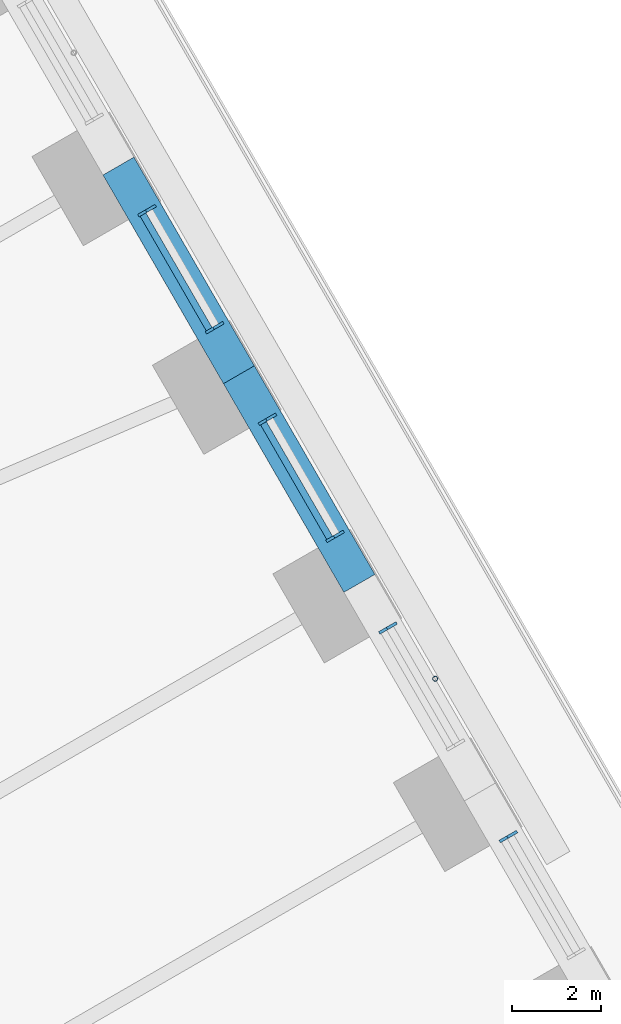
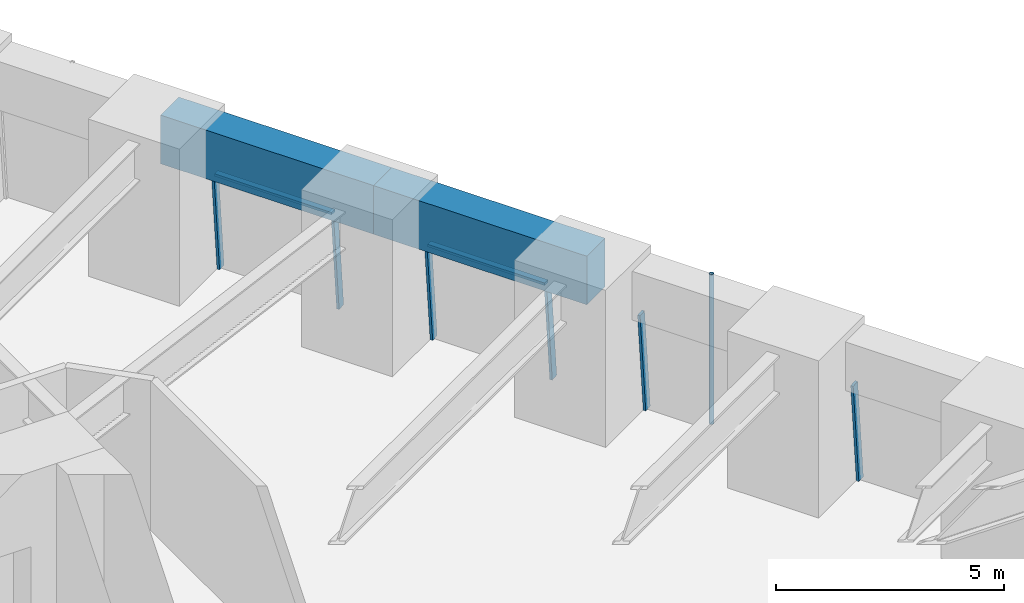
# One storey, part 13 of 23: 9 members, 2 beams, 4 elements without a shape of their own.
"""IFC4 building model written with IfcOpenShell, lengths in metres."""

from ifc_helpers import new_model, si_unit, direction, frame, origin, origin_2d, place, context, subcontext, project, spatial, rectangle, hollow_circle, extrude, material, material_profile, profile_set, type_object, element, aggregate, save


model = new_model("IFC4")

# Units and contexts
model_context = context("Model", 3, precision=1e-05, world=origin(), true_north=direction((0.0, 1.0)))
body_context = subcontext(model_context, "Body", "Model", "MODEL_VIEW")
ifc_project = project(units=[si_unit("LENGTHUNIT", "METRE"), si_unit("AREAUNIT", "SQUARE_METRE"), si_unit("VOLUMEUNIT", "CUBIC_METRE"), si_unit("PLANEANGLEUNIT", "RADIAN"), si_unit("MASSUNIT", "GRAM", prefix="KILO")], contexts=[model_context])

# Site, building, storey
site_placement = place(None, origin())
site = spatial("IfcSite", under=ifc_project, at=site_placement, CompositionType="ELEMENT")
building_placement = place(site_placement, origin())
building = spatial("IfcBuilding", under=site, at=building_placement, Name="Tarfa Lantern Tower", CompositionType="ELEMENT")
storey_placement = place(building_placement, frame((0.0, 0.0, 27.699951171875)))
storey = spatial("IfcBuildingStorey", under=building, at=storey_placement, Name="L05", CompositionType="ELEMENT", Elevation=27.699951171875)

# Curtain wall, member
ifc_material_1 = material(Name="Aluminium framed curtain wall", Category="aluminium")
curtain_wall_type = type_object("IfcCurtainWallType", Name="CW1 CANTED GLAZING LOW ZONE 2700", PredefinedType="USERDEFINED", material=ifc_material_1)
curtain_wall_1_placement = place(storey_placement, origin())
curtain_wall_1 = element("IfcCurtainWall", 1, at=curtain_wall_1_placement, inside=storey, type_object=curtain_wall_type, Name="CW1 NE L05", ObjectType="CURTAIN WALL", PredefinedType="USERDEFINED")
ifc_material_2 = material(Name="Aluminium mullion", Category="aluminium")
ifc_material_profile_1 = material_profile(ifc_material_2, rectangle(XDim=0.06494140625, YDim=0.199951171875, at=origin_2d()), Name="AL MULLION 65x200")
ifc_profile_set_1 = profile_set([ifc_material_profile_1], Name="Aluminium mullion")
member_type_1 = type_object("IfcMemberType", Name="CWM1 MULLION 65x200", PredefinedType="MULLION", material=ifc_profile_set_1)
member_1_placement = place(storey_placement, frame((35.338134765625, 6.592529296875, 0.0), z_axis=(-0.07986442134, -0.046099868913, 0.99573916077), x_axis=(0.499919672301, -0.866071776036, 0.0)))
member_1 = element("IfcMember", 2, at=member_1_placement, type_object=member_type_1, Name="CW1 mullion 2", PredefinedType="MULLION", context=body_context, shape_type="SweptSolid", body=[
    extrude(rectangle(XDim=0.06494140625, YDim=0.199951171875, at=origin_2d()), origin(), (0.0, 0.0, 1.0), 2.71142578125),
])
aggregate(curtain_wall_1, [member_1])

curtain_wall_2_placement = place(storey_placement, origin())
curtain_wall_2 = element("IfcCurtainWall", 3, at=curtain_wall_2_placement, inside=storey, type_object=curtain_wall_type, Name="CW1 NE L05", ObjectType="CURTAIN WALL", PredefinedType="USERDEFINED")
member_2_placement = place(storey_placement, frame((32.643798828125, 11.25927734375, 0.0), z_axis=(-0.07986442134, -0.046099868913, 0.99573916077), x_axis=(0.499919672301, -0.866071776036, 0.0)))
member_2 = element("IfcMember", 4, at=member_2_placement, type_object=member_type_1, Name="CW1 mullion 2", PredefinedType="MULLION", context=body_context, shape_type="SweptSolid", body=[
    extrude(rectangle(XDim=0.06494140625, YDim=0.199951171875, at=origin_2d()), origin(), (0.0, 0.0, 1.0), 2.71142578125),
])
aggregate(curtain_wall_2, [member_2])

# Curtain wall, members
curtain_wall_3_placement = place(storey_placement, origin())
curtain_wall_3 = element("IfcCurtainWall", 5, at=curtain_wall_3_placement, inside=storey, type_object=curtain_wall_type, Name="CW1 NE L05", ObjectType="CURTAIN WALL", PredefinedType="USERDEFINED")
member_3_placement = place(storey_placement, frame((31.46142578125, 13.307373046875, 0.0), z_axis=(-0.07986442134, -0.046099868913, 0.99573916077), x_axis=(0.499919672301, -0.866071776036, 0.0)))
member_3 = element("IfcMember", 6, at=member_3_placement, type_object=member_type_1, Name="CW1 mullion 1", PredefinedType="MULLION", context=body_context, shape_type="SweptSolid", body=[
    extrude(rectangle(XDim=0.06494140625, YDim=0.199951171875, at=origin_2d()), origin(), (0.0, 0.0, 1.0), 2.71142578125),
])
member_4_placement = place(storey_placement, frame((29.949462890625, 15.926025390625, 0.0), z_axis=(-0.07986442134, -0.046099868913, 0.99573916077), x_axis=(0.499919672301, -0.866071776036, 0.0)))
member_4 = element("IfcMember", 7, at=member_4_placement, type_object=member_type_1, Name="CW1 mullion 2", PredefinedType="MULLION", context=body_context, shape_type="SweptSolid", body=[
    extrude(rectangle(XDim=0.06494140625, YDim=0.199951171875, at=origin_2d()), origin(), (0.0, 0.0, 1.0), 2.71142578125),
])

curtain_wall_4_placement = place(storey_placement, origin())
curtain_wall_4 = element("IfcCurtainWall", 8, at=curtain_wall_4_placement, inside=storey, type_object=curtain_wall_type, Name="CW1 NE L05", ObjectType="CURTAIN WALL", PredefinedType="USERDEFINED")
member_5_placement = place(storey_placement, frame((28.76708984375, 17.97412109375, 0.0), z_axis=(-0.07986442134, -0.046099868913, 0.99573916077), x_axis=(0.499919672301, -0.866071776036, 0.0)))
member_5 = element("IfcMember", 9, at=member_5_placement, type_object=member_type_1, Name="CW1 mullion 1", PredefinedType="MULLION", context=body_context, shape_type="SweptSolid", body=[
    extrude(rectangle(XDim=0.06494140625, YDim=0.199951171875, at=origin_2d()), origin(), (0.0, 0.0, 1.0), 2.71142578125),
])
member_6_placement = place(storey_placement, frame((27.255126953125, 20.592529296875, 0.0), z_axis=(-0.079774955866, -0.04610020023, 0.995746317068), x_axis=(0.500342721131, -0.865827443207, 0.0)))
member_6 = element("IfcMember", 10, at=member_6_placement, type_object=member_type_1, Name="CW1 mullion 2", PredefinedType="MULLION", context=body_context, shape_type="SweptSolid", body=[
    extrude(rectangle(XDim=0.06494140625, YDim=0.199951171875, at=origin_2d()), origin(), (0.0, 0.0, 1.0), 2.71142578125),
])

# Member
ifc_material_3 = material(Name="Aluminium transom", Category="aluminium")
ifc_material_profile_2 = material_profile(ifc_material_3, rectangle(XDim=0.14990234375, YDim=0.06494140625, at=origin_2d()), Name="AL TRANSOM 150x65")
ifc_profile_set_2 = profile_set([ifc_material_profile_2], Name="Aluminium transom")
member_type_2 = type_object("IfcMemberType", Name="CWT1 TRANSOM 150x65", PredefinedType="USERDEFINED", material=ifc_profile_set_2)
member_7_placement = place(storey_placement, frame((31.231201171875, 13.212158203125, 2.66748046875), z_axis=(-0.500017718492, 0.866015173767, 0.0), x_axis=(-0.866015173767, -0.500017718492, 0.0)))
member_7 = element("IfcMember", 11, at=member_7_placement, type_object=member_type_2, Name="CW1 transom 1.2", ObjectType="TRANSOM", PredefinedType="USERDEFINED", context=body_context, shape_type="SweptSolid", body=[
    extrude(rectangle(XDim=0.14990234375, YDim=0.06494140625, at=origin_2d()), origin(), (0.0, 0.0, 1.0), 2.95849609375),
])

aggregate(curtain_wall_3, [member_3, member_4, member_7])

member_8_placement = place(storey_placement, frame((28.536865234375, 17.878662109375, 2.66748046875), z_axis=(-0.499981985492, 0.866035804215, 0.0), x_axis=(-0.866035804215, -0.499981985492, 0.0)))
member_8 = element("IfcMember", 12, at=member_8_placement, type_object=member_type_2, Name="CW1 transom 1.2", ObjectType="TRANSOM", PredefinedType="USERDEFINED", context=body_context, shape_type="SweptSolid", body=[
    extrude(rectangle(XDim=0.14990234375, YDim=0.06494140625, at=origin_2d()), origin(), (0.0, 0.0, 1.0), 2.95849609375),
])

aggregate(curtain_wall_4, [member_5, member_6, member_8])

# Beams
ifc_material_4 = material(Name="Concrete C80/95", Category="concrete")
ifc_material_profile_3 = material_profile(ifc_material_4, rectangle(XDim=0.800048828125, YDim=1.300048828125, at=origin_2d()), Name="RC 800x1300")
ifc_profile_set_3 = profile_set([ifc_material_profile_3], Name="Concrete C80/95")
beam_type = type_object("IfcBeamType", Name="EB1 RC 800x1300", PredefinedType="SPANDREL", material=ifc_profile_set_3)
beam_1_placement = place(storey_placement, frame((31.896728515625, 12.193359375, 3.35009765625), z_axis=(-0.499998287579, 0.866026392449, 0.0), x_axis=(-0.866026392449, -0.499998287579, 0.0)))
element("IfcBeam", 13, at=beam_1_placement, inside=storey, type_object=beam_type, Name="Edge beam NE2", PredefinedType="SPANDREL", context=body_context, shape_type="SweptSolid", body=[
    extrude(rectangle(XDim=0.800048828125, YDim=1.300048828125, at=origin_2d()), origin(), (0.0, 0.0, 1.0), 5.388671875),
])
beam_2_placement = place(storey_placement, frame((29.202392578125, 16.860107421875, 3.35009765625), z_axis=(-0.500017906299, 0.866015065331, 0.0), x_axis=(-0.866015065331, -0.500017906299, 0.0)))
element("IfcBeam", 14, at=beam_2_placement, inside=storey, type_object=beam_type, Name="Edge beam NE3", PredefinedType="SPANDREL", context=body_context, shape_type="SweptSolid", body=[
    extrude(rectangle(XDim=0.800048828125, YDim=1.300048828125, at=origin_2d()), origin(), (0.0, 0.0, 1.0), 5.388427734375),
])

# Member
ifc_material_5 = material(Name="Steel S355", Category="steel")
ifc_material_profile_4 = material_profile(ifc_material_5, hollow_circle(Radius=0.05712890625, WallThickness=0.00634765625, at=origin_2d()), Name="CHS114.3x6.3")
ifc_profile_set_4 = profile_set([ifc_material_profile_4], Name="Steel S355")
member_type_3 = type_object("IfcMemberType", Name="TR1 GREEN WALL TRELLIS CHS114.3x6.3", PredefinedType="USERDEFINED", material=ifc_profile_set_4)
member_9_placement = place(storey_placement, frame((33.59033203125, 10.06005859375, 0.0), z_axis=(0.0, 0.0, 1.0), x_axis=(1.0, 0.0, 0.0)))
element("IfcMember", 15, at=member_9_placement, inside=storey, type_object=member_type_3, Name="Trellis post NE 1", ObjectType="TRELLIS", PredefinedType="USERDEFINED", context=body_context, shape_type="SweptSolid", body=[
    extrude(hollow_circle(Radius=0.05712890625, WallThickness=0.00634765625, at=origin_2d()), origin(), (0.0, 0.0, 1.0), 4.0),
])

save(model, "model.ifc")
